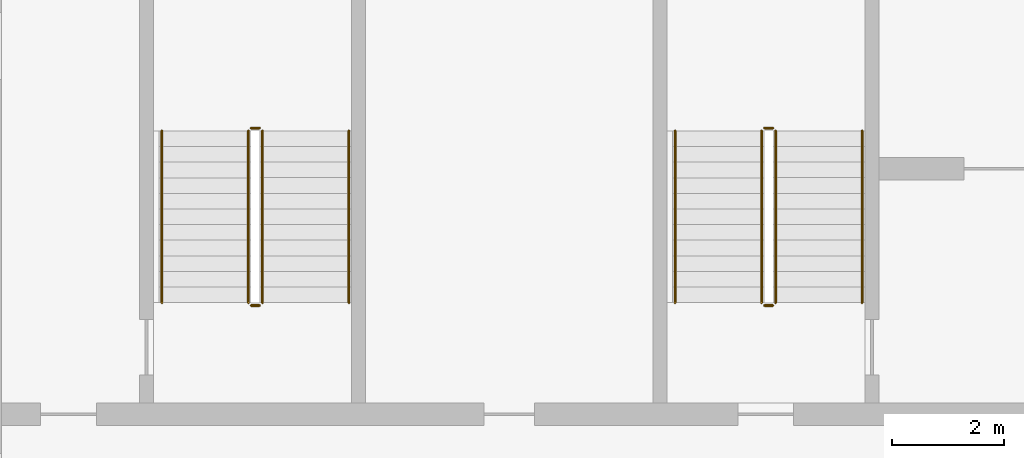
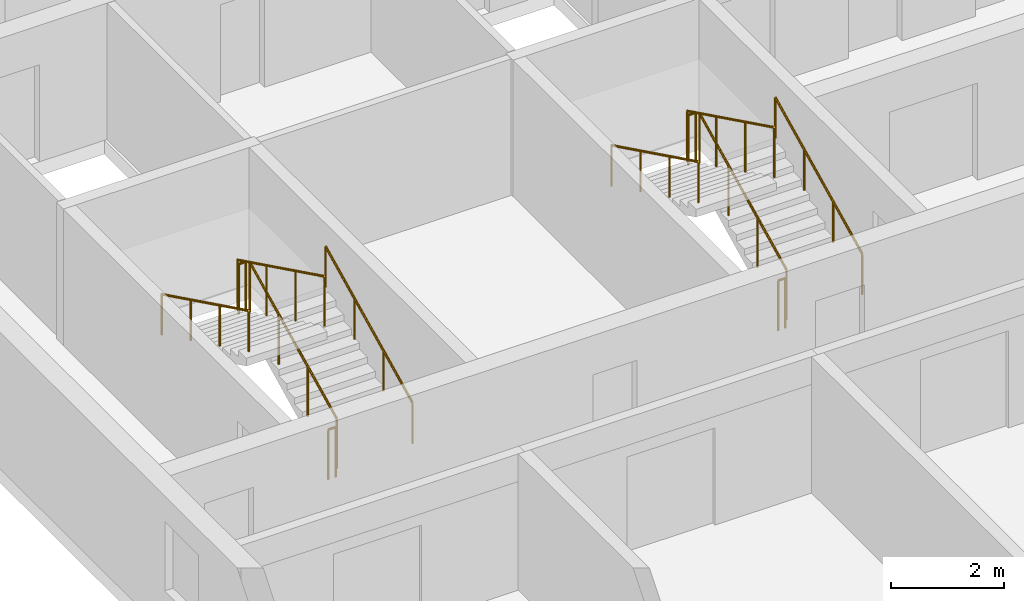
# One storey, part 12 of 13: 12 railings.
"""IFC4 building model written with IfcOpenShell, lengths in metres."""

import ifcopenshell
import ifcopenshell.guid

model = None  # the IFC model being written
_history = None  # IfcOwnerHistory: only IFC2X3 demands one
_inside = {}  # id of a spatial element -> (the spatial element, [elements in it])
_under = {}  # id of a project, library or spatial element -> (it, [spatial elements below it])
_declared = {}  # id of a project -> (the project, [libraries it declares])
_typed = {}  # id of a type object -> (the type object, [elements of that type])
_made_of = {}  # id of a material, layer set ... -> (it, [elements and type objects made of it])


def new_model(schema):
    """Start an empty IFC model of exactly this schema.

    Asked for "IFC4X3", IfcOpenShell would pick the latest addendum, in which some entities
    have other attributes; the version numbers below select the first issue.
    IFC2X3 requires an IfcOwnerHistory on every rooted entity: one is made here for all.
    """
    global model, _history
    if schema == "IFC4X3":
        model = ifcopenshell.file(schema_version=(4, 3, 0, 0))
    else:
        model = ifcopenshell.file(schema=schema)
    _inside.clear()
    _under.clear()
    _declared.clear()
    _typed.clear()
    _made_of.clear()
    _history = None
    if model.schema == "IFC2X3":
        org = make("IfcOrganization", Name="unknown")
        user = make(
            "IfcPersonAndOrganization",
            ThePerson=make("IfcPerson", FamilyName="unknown"),
            TheOrganization=org,
        )
        app = make(
            "IfcApplication",
            ApplicationDeveloper=org,
            Version="unknown",
            ApplicationFullName="unknown",
            ApplicationIdentifier="unknown",
        )
        _history = make(
            "IfcOwnerHistory",
            OwningUser=user,
            OwningApplication=app,
            ChangeAction="ADDED",
            CreationDate=0,
        )
    return model


def make(cls, **values):
    """One entity of the class cls with the attributes given. An attribute that is None is left unset."""
    return model.create_entity(
        cls, **{name: value for name, value in values.items() if value is not None}
    )


def rooted(cls, **values):
    """An entity with a GlobalId (a new one), such as an element, a storey or a relation."""
    return make(cls, GlobalId=ifcopenshell.guid.new(), OwnerHistory=_history, **values)


def si_unit(unit_type, name, prefix=None):
    """IfcSIUnit, for example si_unit("LENGTHUNIT", "METRE", prefix="MILLI")."""
    return make("IfcSIUnit", UnitType=unit_type, Prefix=prefix, Name=name)


def assignment(units):
    """IfcUnitAssignment: the units of a project."""
    return None if units is None else make("IfcUnitAssignment", Units=units)


def point(xyz):
    """IfcCartesianPoint."""
    return None if xyz is None else make("IfcCartesianPoint", Coordinates=xyz)


def direction(xyz):
    """IfcDirection."""
    return None if xyz is None else make("IfcDirection", DirectionRatios=xyz)


def frame(location, z_axis=None, x_axis=None):
    """IfcAxis2Placement3D, a coordinate frame: its origin and axes. An axis left out is left unset."""
    return make(
        "IfcAxis2Placement3D",
        Location=point(location),
        Axis=direction(z_axis),
        RefDirection=direction(x_axis),
    )


def frame_2d(location, x_axis=None):
    """IfcAxis2Placement2D, a coordinate frame in the plane: its origin and x axis."""
    return make(
        "IfcAxis2Placement2D", Location=point(location), RefDirection=direction(x_axis)
    )


def origin():
    """The frame at (0, 0, 0) with its axes left unset."""
    return frame((0.0, 0.0, 0.0))


def origin_2d():
    """The frame at (0, 0) in the plane with its x axis left unset."""
    return frame_2d((0.0, 0.0))


def place(relative_to, where):
    """IfcLocalPlacement: puts the frame where relative to a parent placement (None: the world)."""
    return make(
        "IfcLocalPlacement", PlacementRelTo=relative_to, RelativePlacement=where
    )


def context(
    kind, dimensions, precision=None, world=None, true_north=None, identifier=None
):
    """IfcGeometricRepresentationContext, for example the 3D "Model" context."""
    return make(
        "IfcGeometricRepresentationContext",
        ContextIdentifier=identifier,
        ContextType=kind,
        CoordinateSpaceDimension=dimensions,
        Precision=precision,
        WorldCoordinateSystem=world,
        TrueNorth=true_north,
    )


def subcontext(parent, identifier, kind, view, scale=None):
    """IfcGeometricRepresentationSubContext, for example "Body" below "Model"."""
    return make(
        "IfcGeometricRepresentationSubContext",
        ContextIdentifier=identifier,
        ContextType=kind,
        ParentContext=parent,
        TargetScale=scale,
        TargetView=view,
    )


def project(units=None, contexts=None):
    """IfcProject with its units and contexts."""
    return rooted(
        "IfcProject",
        Name="project",
        RepresentationContexts=contexts,
        UnitsInContext=assignment(units),
    )


def spatial(cls, under=None, at=None, **own):
    """A site, building, storey or space (cls), placed at a placement, below another one or the project."""
    s = rooted(cls, ObjectPlacement=at, **own)
    if under is not None:
        _under.setdefault(under.id(), (under, []))[1].append(s)
    return s


def profile(cls, at=None, kind="AREA", **sizes):
    """A parametric profile (cls). Its sizes go by their IFC names, for example OverallWidth=200.0."""
    return make(cls, ProfileType=kind, Position=at, **sizes)


def circle(**sizes):
    """IfcCircleProfileDef."""
    return profile("IfcCircleProfileDef", **sizes)


def extrude(swept, where, along, depth):
    """IfcExtrudedAreaSolid: the profile swept, set in the frame where, extruded along a direction by depth."""
    return make(
        "IfcExtrudedAreaSolid",
        SweptArea=swept,
        Position=where,
        ExtrudedDirection=direction(along),
        Depth=depth,
    )


def shape(context_of_items, identifier, shape_type, items):
    """IfcShapeRepresentation: the items that make up one representation, for example the "Body"."""
    return make(
        "IfcShapeRepresentation",
        ContextOfItems=context_of_items,
        RepresentationIdentifier=identifier,
        RepresentationType=shape_type,
        Items=items,
    )


def material(Name=None, Category=None):
    """IfcMaterial."""
    return make("IfcMaterial", Name=Name, Category=Category)


def made_of(thing, what):
    """Note that an element or type object is made of a material, layer set ...; save() writes the relation."""
    if what is not None:
        _made_of.setdefault(what.id(), (what, []))[1].append(thing)
    return thing


def type_object(cls, material=None, **own):
    """A type object (cls), such as IfcWallType, which elements share."""
    return made_of(rooted(cls, **own), material)


def element(
    cls,
    number,
    at=None,
    inside=None,
    cuts=None,
    type_object=None,
    material=None,
    context=None,
    identifier="Body",
    shape_type=None,
    held_by="IfcProductDefinitionShape",
    body=None,
    shapes=None,
    **own,
):
    """One element of the class cls, such as IfcWall. Its Tag is "e" and its number.

    at: its placement. inside: the storey or other place that contains it. cuts: it is an
    opening in that element (IfcRelVoidsElement). A single representation is given by context,
    identifier, shape_type and body (its items); several are given by shapes. held_by: the class
    of the entity that holds the representations. save() writes the other relations.
    """
    e = rooted(cls, Tag="e%d" % number, ObjectPlacement=at, **own)
    if body is not None:
        shapes = [shape(context, identifier, shape_type, body)]
    if shapes is not None:
        e.Representation = make(held_by, Representations=shapes)
    if inside is not None:
        _inside.setdefault(inside.id(), (inside, []))[1].append(e)
    if cuts is not None:
        rooted(
            "IfcRelVoidsElement", RelatingBuildingElement=cuts, RelatedOpeningElement=e
        )
    if type_object is not None:
        _typed.setdefault(type_object.id(), (type_object, []))[1].append(e)
    return made_of(e, material)


def aggregate(whole, parts):
    """IfcRelAggregates: a whole, such as a stair, and the parts it consists of."""
    return rooted("IfcRelAggregates", RelatingObject=whole, RelatedObjects=parts)


def save(model, path):
    """Write the relations noted so far, then the file.

    IfcRelAggregates (storeys below a building ...), IfcRelContainedInSpatialStructure (elements
    in a storey), IfcRelDefinesByType, IfcRelAssociatesMaterial and IfcRelDeclares: one each for
    every whole, place, type object, material and project.
    """
    for whole, parts in _under.values():
        aggregate(whole, parts)
    for where, things in _inside.values():
        rooted(
            "IfcRelContainedInSpatialStructure",
            RelatedElements=things,
            RelatingStructure=where,
        )
    for kind, things in _typed.values():
        rooted("IfcRelDefinesByType", RelatedObjects=things, RelatingType=kind)
    for what, things in _made_of.values():
        rooted("IfcRelAssociatesMaterial", RelatedObjects=things, RelatingMaterial=what)
    for by, libraries in _declared.values():
        rooted("IfcRelDeclares", RelatingContext=by, RelatedDefinitions=libraries)
    model.write(path)


model = new_model("IFC4")

# Units and contexts
model_context = context("Model", 3, precision=1e-05, world=origin(), true_north=direction((0.0, 1.0)))
body_context = subcontext(model_context, "Body", "Model", "MODEL_VIEW")
ifc_project = project(units=[si_unit("LENGTHUNIT", "METRE"), si_unit("AREAUNIT", "SQUARE_METRE"), si_unit("VOLUMEUNIT", "CUBIC_METRE"), si_unit("PLANEANGLEUNIT", "RADIAN"), si_unit("MASSUNIT", "GRAM", prefix="KILO")], contexts=[model_context])

# Site, building, storey
site_placement = place(None, origin())
site = spatial("IfcSite", under=ifc_project, at=site_placement, CompositionType="ELEMENT")
building_placement = place(site_placement, origin())
building = spatial("IfcBuilding", under=site, at=building_placement, Name="Poui Terraces", CompositionType="ELEMENT")
storey_placement = place(building_placement, frame((0.0, 0.0, 211.5)))
storey = spatial("IfcBuildingStorey", under=building, at=storey_placement, Name="L59", CompositionType="ELEMENT", Elevation=211.5)

# Railings
ifc_material_1 = material(Name="Galvanised steel balustrade", Category="steel")
railing_type_1 = type_object("IfcRailingType", Name="STAIR GUARD 1100", PredefinedType="GUARDRAIL", material=ifc_material_1)
railing_1_placement = place(storey_placement, frame((32.074951171875, 16.60009765625, 0.137451171875)))
element("IfcRailing", 1, at=railing_1_placement, inside=storey, type_object=railing_type_1, Name="L59 ST-CW stair guard 1", PredefinedType="GUARDRAIL", context=body_context, shape_type="SweptSolid", body=[
    extrude(circle(Radius=0.02392578125, at=origin_2d()), frame((0.0, 0.0, 1.076171875), z_axis=(0.0, 0.897606190399, 0.440798283751), x_axis=(-1.0, 0.0, 0.0)), (0.0, 0.0, 1.0), 3.43115234375),
    extrude(circle(Radius=0.02099609375, at=origin_2d()), origin(), (0.0, 0.0, 1.0), 1.052001953125),
    extrude(circle(Radius=0.02099609375, at=origin_2d()), frame((0.0, 1.026611328125, 0.504150390625)), (0.0, 0.0, 1.0), 1.052001953125),
    extrude(circle(Radius=0.02099609375, at=origin_2d()), frame((0.0, 2.05322265625, 1.00830078125)), (0.0, 0.0, 1.0), 1.052001953125),
    extrude(circle(Radius=0.02099609375, at=origin_2d()), frame((0.0, 3.079833984375, 1.512451171875)), (0.0, 0.0, 1.0), 1.052001953125),
])
railing_2_placement = place(storey_placement, frame((32.02490234375, 19.72998046875, 1.64990234375)))
element("IfcRailing", 2, at=railing_2_placement, inside=storey, type_object=railing_type_1, Name="L59 ST-CW stair guard 2", PredefinedType="GUARDRAIL", context=body_context, shape_type="SweptSolid", body=[
    extrude(circle(Radius=0.02392578125, at=origin_2d()), frame((0.0, 0.0, 1.076171875), z_axis=(-1.0, 0.0, 0.0), x_axis=(0.0, -1.0, 0.0)), (0.0, 0.0, 1.0), 0.14990234375),
    extrude(circle(Radius=0.02099609375, at=origin_2d()), origin(), (0.0, 0.0, 1.0), 1.052001953125),
    extrude(circle(Radius=0.02099609375, at=origin_2d()), frame((-0.14990234375, 0.0, 0.0)), (0.0, 0.0, 1.0), 1.052001953125),
])
railing_3_placement = place(storey_placement, frame((31.824951171875, 19.679931640625, 1.78759765625)))
element("IfcRailing", 3, at=railing_3_placement, inside=storey, type_object=railing_type_1, Name="L59 ST-CW stair guard 3", PredefinedType="GUARDRAIL", context=body_context, shape_type="SweptSolid", body=[
    extrude(circle(Radius=0.02392578125, at=origin_2d()), frame((0.0, 0.0, 1.076171875), z_axis=(0.0, -0.897606190399, 0.440798283751), x_axis=(1.0, 0.0, 0.0)), (0.0, 0.0, 1.0), 3.43115234375),
    extrude(circle(Radius=0.02099609375, at=origin_2d()), origin(), (0.0, 0.0, 1.0), 1.052001953125),
    extrude(circle(Radius=0.02099609375, at=origin_2d()), frame((0.0, -1.026611328125, 0.504150390625)), (0.0, 0.0, 1.0), 1.052001953125),
    extrude(circle(Radius=0.02099609375, at=origin_2d()), frame((0.0, -2.05322265625, 1.00830078125)), (0.0, 0.0, 1.0), 1.052001953125),
    extrude(circle(Radius=0.02099609375, at=origin_2d()), frame((0.0, -3.079833984375, 1.512451171875)), (0.0, 0.0, 1.0), 1.052001953125),
])
railing_4_placement = place(storey_placement, frame((32.02490234375, 16.550048828125, 0.0)))
element("IfcRailing", 4, at=railing_4_placement, inside=storey, type_object=railing_type_1, Name="L59 ST-CW stair guard 4", PredefinedType="GUARDRAIL", context=body_context, shape_type="SweptSolid", body=[
    extrude(circle(Radius=0.02392578125, at=origin_2d()), frame((0.0, 0.0, 1.076171875), z_axis=(-1.0, 0.0, 0.0), x_axis=(0.0, -1.0, 0.0)), (0.0, 0.0, 1.0), 0.14990234375),
    extrude(circle(Radius=0.02099609375, at=origin_2d()), origin(), (0.0, 0.0, 1.0), 1.052001953125),
    extrude(circle(Radius=0.02099609375, at=origin_2d()), frame((-0.14990234375, 0.0, 0.0)), (0.0, 0.0, 1.0), 1.052001953125),
])
railing_5_placement = place(storey_placement, frame((22.875, 16.60009765625, 0.137451171875)))
element("IfcRailing", 5, at=railing_5_placement, inside=storey, type_object=railing_type_1, Name="L59 ST-W stair guard 1", PredefinedType="GUARDRAIL", context=body_context, shape_type="SweptSolid", body=[
    extrude(circle(Radius=0.02392578125, at=origin_2d()), frame((0.0, 0.0, 1.076171875), z_axis=(0.0, 0.897606190399, 0.440798283751), x_axis=(-1.0, 0.0, 0.0)), (0.0, 0.0, 1.0), 3.43115234375),
    extrude(circle(Radius=0.02099609375, at=origin_2d()), origin(), (0.0, 0.0, 1.0), 1.052001953125),
    extrude(circle(Radius=0.02099609375, at=origin_2d()), frame((0.0, 1.026611328125, 0.504150390625)), (0.0, 0.0, 1.0), 1.052001953125),
    extrude(circle(Radius=0.02099609375, at=origin_2d()), frame((0.0, 2.05322265625, 1.00830078125)), (0.0, 0.0, 1.0), 1.052001953125),
    extrude(circle(Radius=0.02099609375, at=origin_2d()), frame((0.0, 3.079833984375, 1.512451171875)), (0.0, 0.0, 1.0), 1.052001953125),
])
railing_6_placement = place(storey_placement, frame((22.824951171875, 19.72998046875, 1.64990234375)))
element("IfcRailing", 6, at=railing_6_placement, inside=storey, type_object=railing_type_1, Name="L59 ST-W stair guard 2", PredefinedType="GUARDRAIL", context=body_context, shape_type="SweptSolid", body=[
    extrude(circle(Radius=0.02392578125, at=origin_2d()), frame((0.0, 0.0, 1.076171875), z_axis=(-1.0, 0.0, 0.0), x_axis=(0.0, -1.0, 0.0)), (0.0, 0.0, 1.0), 0.14990234375),
    extrude(circle(Radius=0.02099609375, at=origin_2d()), origin(), (0.0, 0.0, 1.0), 1.052001953125),
    extrude(circle(Radius=0.02099609375, at=origin_2d()), frame((-0.14990234375, 0.0, 0.0)), (0.0, 0.0, 1.0), 1.052001953125),
])
railing_7_placement = place(storey_placement, frame((22.625, 19.679931640625, 1.78759765625)))
element("IfcRailing", 7, at=railing_7_placement, inside=storey, type_object=railing_type_1, Name="L59 ST-W stair guard 3", PredefinedType="GUARDRAIL", context=body_context, shape_type="SweptSolid", body=[
    extrude(circle(Radius=0.02392578125, at=origin_2d()), frame((0.0, 0.0, 1.076171875), z_axis=(0.0, -0.897606190399, 0.440798283751), x_axis=(1.0, 0.0, 0.0)), (0.0, 0.0, 1.0), 3.43115234375),
    extrude(circle(Radius=0.02099609375, at=origin_2d()), origin(), (0.0, 0.0, 1.0), 1.052001953125),
    extrude(circle(Radius=0.02099609375, at=origin_2d()), frame((0.0, -1.026611328125, 0.504150390625)), (0.0, 0.0, 1.0), 1.052001953125),
    extrude(circle(Radius=0.02099609375, at=origin_2d()), frame((0.0, -2.05322265625, 1.00830078125)), (0.0, 0.0, 1.0), 1.052001953125),
    extrude(circle(Radius=0.02099609375, at=origin_2d()), frame((0.0, -3.079833984375, 1.512451171875)), (0.0, 0.0, 1.0), 1.052001953125),
])
railing_8_placement = place(storey_placement, frame((22.824951171875, 16.550048828125, 0.0)))
element("IfcRailing", 8, at=railing_8_placement, inside=storey, type_object=railing_type_1, Name="L59 ST-W stair guard 4", PredefinedType="GUARDRAIL", context=body_context, shape_type="SweptSolid", body=[
    extrude(circle(Radius=0.02392578125, at=origin_2d()), frame((0.0, 0.0, 1.076171875), z_axis=(-1.0, 0.0, 0.0), x_axis=(0.0, -1.0, 0.0)), (0.0, 0.0, 1.0), 0.14990234375),
    extrude(circle(Radius=0.02099609375, at=origin_2d()), origin(), (0.0, 0.0, 1.0), 1.052001953125),
    extrude(circle(Radius=0.02099609375, at=origin_2d()), frame((-0.14990234375, 0.0, 0.0)), (0.0, 0.0, 1.0), 1.052001953125),
])
ifc_material_2 = material(Name="Stainless steel handrail", Category="steel")
railing_type_2 = type_object("IfcRailingType", Name="STAIR HANDRAIL 900", PredefinedType="HANDRAIL", material=ifc_material_2)
railing_9_placement = place(storey_placement, frame((33.625, 16.60009765625, 0.137451171875)))
element("IfcRailing", 9, at=railing_9_placement, inside=storey, type_object=railing_type_2, Name="L59 ST-CW stair handrail 1", PredefinedType="HANDRAIL", context=body_context, shape_type="SweptSolid", body=[
    extrude(circle(Radius=0.02392578125, at=origin_2d()), frame((0.0, 0.0, 0.8759765625), z_axis=(0.0, 0.897606190399, 0.440798283751), x_axis=(-1.0, 0.0, 0.0)), (0.0, 0.0, 1.0), 3.43115234375),
    extrude(circle(Radius=0.02099609375, at=origin_2d()), origin(), (0.0, 0.0, 1.0), 0.851806640625),
    extrude(circle(Radius=0.02099609375, at=origin_2d()), frame((0.0, 1.026611328125, 0.504150390625)), (0.0, 0.0, 1.0), 0.851806640625),
    extrude(circle(Radius=0.02099609375, at=origin_2d()), frame((0.0, 2.05322265625, 1.00830078125)), (0.0, 0.0, 1.0), 0.851806640625),
    extrude(circle(Radius=0.02099609375, at=origin_2d()), frame((0.0, 3.079833984375, 1.512451171875)), (0.0, 0.0, 1.0), 0.851806640625),
])
railing_10_placement = place(storey_placement, frame((30.27490234375, 19.679931640625, 1.78759765625)))
element("IfcRailing", 10, at=railing_10_placement, inside=storey, type_object=railing_type_2, Name="L59 ST-CW stair handrail 2", PredefinedType="HANDRAIL", context=body_context, shape_type="SweptSolid", body=[
    extrude(circle(Radius=0.02392578125, at=origin_2d()), frame((0.0, 0.0, 0.8759765625), z_axis=(0.0, -0.897606190399, 0.440798283751), x_axis=(1.0, 0.0, 0.0)), (0.0, 0.0, 1.0), 3.43115234375),
    extrude(circle(Radius=0.02099609375, at=origin_2d()), origin(), (0.0, 0.0, 1.0), 0.851806640625),
    extrude(circle(Radius=0.02099609375, at=origin_2d()), frame((0.0, -1.026611328125, 0.504150390625)), (0.0, 0.0, 1.0), 0.851806640625),
    extrude(circle(Radius=0.02099609375, at=origin_2d()), frame((0.0, -2.05322265625, 1.00830078125)), (0.0, 0.0, 1.0), 0.851806640625),
    extrude(circle(Radius=0.02099609375, at=origin_2d()), frame((0.0, -3.079833984375, 1.512451171875)), (0.0, 0.0, 1.0), 0.851806640625),
])
railing_11_placement = place(storey_placement, frame((24.425048828125, 16.60009765625, 0.137451171875)))
element("IfcRailing", 11, at=railing_11_placement, inside=storey, type_object=railing_type_2, Name="L59 ST-W stair handrail 1", PredefinedType="HANDRAIL", context=body_context, shape_type="SweptSolid", body=[
    extrude(circle(Radius=0.02392578125, at=origin_2d()), frame((0.0, 0.0, 0.8759765625), z_axis=(0.0, 0.897606190399, 0.440798283751), x_axis=(-1.0, 0.0, 0.0)), (0.0, 0.0, 1.0), 3.43115234375),
    extrude(circle(Radius=0.02099609375, at=origin_2d()), origin(), (0.0, 0.0, 1.0), 0.851806640625),
    extrude(circle(Radius=0.02099609375, at=origin_2d()), frame((0.0, 1.026611328125, 0.504150390625)), (0.0, 0.0, 1.0), 0.851806640625),
    extrude(circle(Radius=0.02099609375, at=origin_2d()), frame((0.0, 2.05322265625, 1.00830078125)), (0.0, 0.0, 1.0), 0.851806640625),
    extrude(circle(Radius=0.02099609375, at=origin_2d()), frame((0.0, 3.079833984375, 1.512451171875)), (0.0, 0.0, 1.0), 0.851806640625),
])
railing_12_placement = place(storey_placement, frame((21.074951171875, 19.679931640625, 1.78759765625)))
element("IfcRailing", 12, at=railing_12_placement, inside=storey, type_object=railing_type_2, Name="L59 ST-W stair handrail 2", PredefinedType="HANDRAIL", context=body_context, shape_type="SweptSolid", body=[
    extrude(circle(Radius=0.02392578125, at=origin_2d()), frame((0.0, 0.0, 0.8759765625), z_axis=(0.0, -0.897606190399, 0.440798283751), x_axis=(1.0, 0.0, 0.0)), (0.0, 0.0, 1.0), 3.43115234375),
    extrude(circle(Radius=0.02099609375, at=origin_2d()), origin(), (0.0, 0.0, 1.0), 0.851806640625),
    extrude(circle(Radius=0.02099609375, at=origin_2d()), frame((0.0, -1.026611328125, 0.504150390625)), (0.0, 0.0, 1.0), 0.851806640625),
    extrude(circle(Radius=0.02099609375, at=origin_2d()), frame((0.0, -2.05322265625, 1.00830078125)), (0.0, 0.0, 1.0), 0.851806640625),
    extrude(circle(Radius=0.02099609375, at=origin_2d()), frame((0.0, -3.079833984375, 1.512451171875)), (0.0, 0.0, 1.0), 0.851806640625),
])

save(model, "model.ifc")
